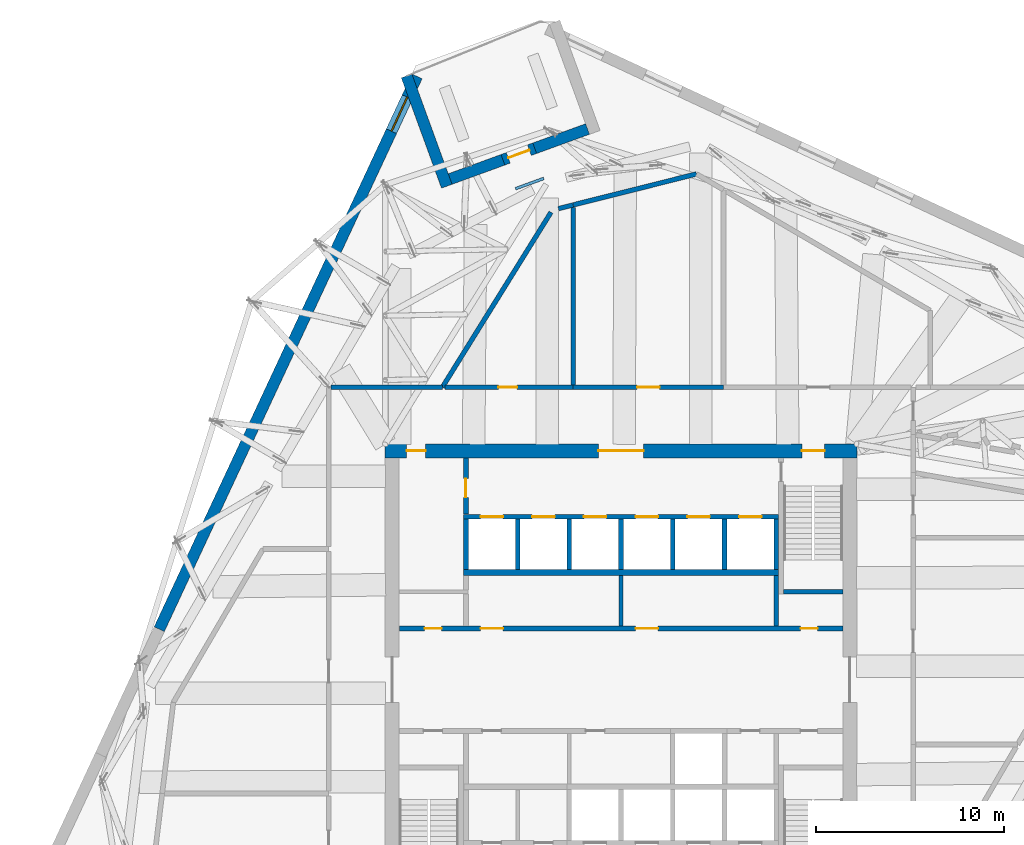
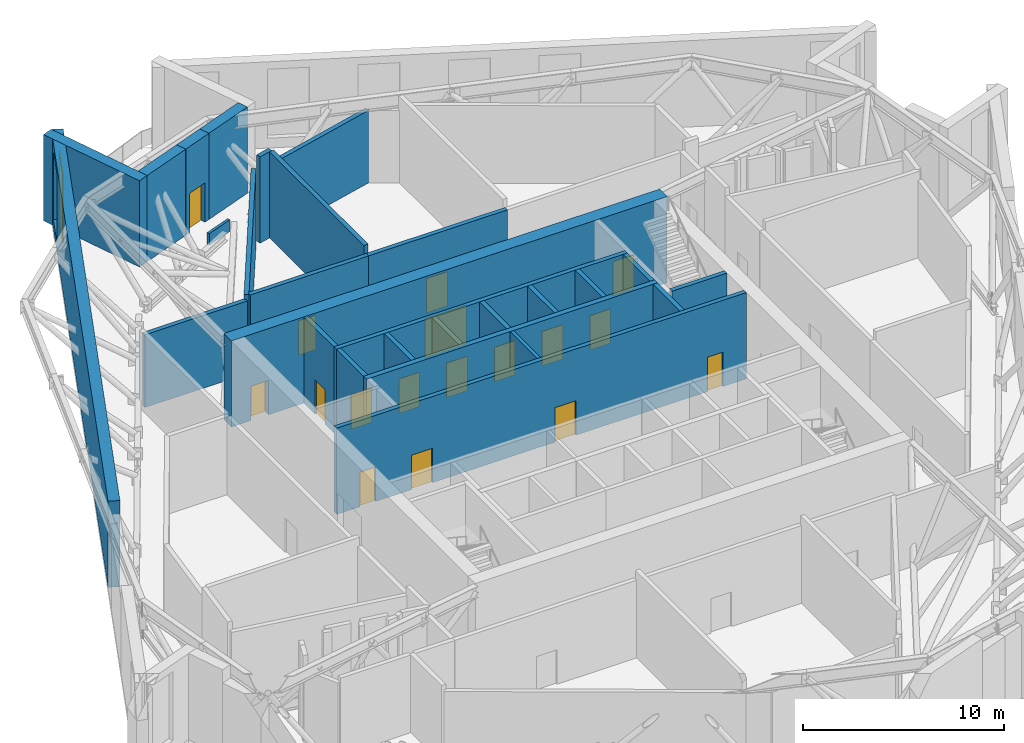
# One storey, part 7 of 15: 28 walls, 17 doors, 1 window, 18 openings.
"""IFC4 building model written with IfcOpenShell, lengths in metres."""

import ifcopenshell
import ifcopenshell.guid

model = None  # the IFC model being written
_history = None  # IfcOwnerHistory: only IFC2X3 demands one
_inside = {}  # id of a spatial element -> (the spatial element, [elements in it])
_under = {}  # id of a project, library or spatial element -> (it, [spatial elements below it])
_declared = {}  # id of a project -> (the project, [libraries it declares])
_typed = {}  # id of a type object -> (the type object, [elements of that type])
_made_of = {}  # id of a material, layer set ... -> (it, [elements and type objects made of it])


def new_model(schema):
    """Start an empty IFC model of exactly this schema.

    Asked for "IFC4X3", IfcOpenShell would pick the latest addendum, in which some entities
    have other attributes; the version numbers below select the first issue.
    IFC2X3 requires an IfcOwnerHistory on every rooted entity: one is made here for all.
    """
    global model, _history
    if schema == "IFC4X3":
        model = ifcopenshell.file(schema_version=(4, 3, 0, 0))
    else:
        model = ifcopenshell.file(schema=schema)
    _inside.clear()
    _under.clear()
    _declared.clear()
    _typed.clear()
    _made_of.clear()
    _history = None
    if model.schema == "IFC2X3":
        org = make("IfcOrganization", Name="unknown")
        user = make(
            "IfcPersonAndOrganization",
            ThePerson=make("IfcPerson", FamilyName="unknown"),
            TheOrganization=org,
        )
        app = make(
            "IfcApplication",
            ApplicationDeveloper=org,
            Version="unknown",
            ApplicationFullName="unknown",
            ApplicationIdentifier="unknown",
        )
        _history = make(
            "IfcOwnerHistory",
            OwningUser=user,
            OwningApplication=app,
            ChangeAction="ADDED",
            CreationDate=0,
        )
    return model


def make(cls, **values):
    """One entity of the class cls with the attributes given. An attribute that is None is left unset."""
    return model.create_entity(
        cls, **{name: value for name, value in values.items() if value is not None}
    )


def rooted(cls, **values):
    """An entity with a GlobalId (a new one), such as an element, a storey or a relation."""
    return make(cls, GlobalId=ifcopenshell.guid.new(), OwnerHistory=_history, **values)


def si_unit(unit_type, name, prefix=None):
    """IfcSIUnit, for example si_unit("LENGTHUNIT", "METRE", prefix="MILLI")."""
    return make("IfcSIUnit", UnitType=unit_type, Prefix=prefix, Name=name)


def assignment(units):
    """IfcUnitAssignment: the units of a project."""
    return None if units is None else make("IfcUnitAssignment", Units=units)


def point(xyz):
    """IfcCartesianPoint."""
    return None if xyz is None else make("IfcCartesianPoint", Coordinates=xyz)


def direction(xyz):
    """IfcDirection."""
    return None if xyz is None else make("IfcDirection", DirectionRatios=xyz)


def frame(location, z_axis=None, x_axis=None):
    """IfcAxis2Placement3D, a coordinate frame: its origin and axes. An axis left out is left unset."""
    return make(
        "IfcAxis2Placement3D",
        Location=point(location),
        Axis=direction(z_axis),
        RefDirection=direction(x_axis),
    )


def frame_2d(location, x_axis=None):
    """IfcAxis2Placement2D, a coordinate frame in the plane: its origin and x axis."""
    return make(
        "IfcAxis2Placement2D", Location=point(location), RefDirection=direction(x_axis)
    )


def origin():
    """The frame at (0, 0, 0) with its axes left unset."""
    return frame((0.0, 0.0, 0.0))


def place(relative_to, where):
    """IfcLocalPlacement: puts the frame where relative to a parent placement (None: the world)."""
    return make(
        "IfcLocalPlacement", PlacementRelTo=relative_to, RelativePlacement=where
    )


def context(
    kind, dimensions, precision=None, world=None, true_north=None, identifier=None
):
    """IfcGeometricRepresentationContext, for example the 3D "Model" context."""
    return make(
        "IfcGeometricRepresentationContext",
        ContextIdentifier=identifier,
        ContextType=kind,
        CoordinateSpaceDimension=dimensions,
        Precision=precision,
        WorldCoordinateSystem=world,
        TrueNorth=true_north,
    )


def subcontext(parent, identifier, kind, view, scale=None):
    """IfcGeometricRepresentationSubContext, for example "Body" below "Model"."""
    return make(
        "IfcGeometricRepresentationSubContext",
        ContextIdentifier=identifier,
        ContextType=kind,
        ParentContext=parent,
        TargetScale=scale,
        TargetView=view,
    )


def project(units=None, contexts=None):
    """IfcProject with its units and contexts."""
    return rooted(
        "IfcProject",
        Name="project",
        RepresentationContexts=contexts,
        UnitsInContext=assignment(units),
    )


def spatial(cls, under=None, at=None, **own):
    """A site, building, storey or space (cls), placed at a placement, below another one or the project."""
    s = rooted(cls, ObjectPlacement=at, **own)
    if under is not None:
        _under.setdefault(under.id(), (under, []))[1].append(s)
    return s


def profile(cls, at=None, kind="AREA", **sizes):
    """A parametric profile (cls). Its sizes go by their IFC names, for example OverallWidth=200.0."""
    return make(cls, ProfileType=kind, Position=at, **sizes)


def rectangle(**sizes):
    """IfcRectangleProfileDef."""
    return profile("IfcRectangleProfileDef", **sizes)


def extrude(swept, where, along, depth):
    """IfcExtrudedAreaSolid: the profile swept, set in the frame where, extruded along a direction by depth."""
    return make(
        "IfcExtrudedAreaSolid",
        SweptArea=swept,
        Position=where,
        ExtrudedDirection=direction(along),
        Depth=depth,
    )


def shape(context_of_items, identifier, shape_type, items):
    """IfcShapeRepresentation: the items that make up one representation, for example the "Body"."""
    return make(
        "IfcShapeRepresentation",
        ContextOfItems=context_of_items,
        RepresentationIdentifier=identifier,
        RepresentationType=shape_type,
        Items=items,
    )


def material(Name=None, Category=None):
    """IfcMaterial."""
    return make("IfcMaterial", Name=Name, Category=Category)


def layer(
    of_material, thickness, ventilated=None, Name=None, Category=None, Priority=None
):
    """IfcMaterialLayer: one layer of a wall or slab, of a material (None: an air gap)."""
    return make(
        "IfcMaterialLayer",
        Material=of_material,
        LayerThickness=thickness,
        IsVentilated=ventilated,
        Name=Name,
        Category=Category,
        Priority=Priority,
    )


def layer_set(layers, Name=None):
    """IfcMaterialLayerSet."""
    return make("IfcMaterialLayerSet", MaterialLayers=layers, LayerSetName=Name)


def made_of(thing, what):
    """Note that an element or type object is made of a material, layer set ...; save() writes the relation."""
    if what is not None:
        _made_of.setdefault(what.id(), (what, []))[1].append(thing)
    return thing


def type_object(cls, material=None, **own):
    """A type object (cls), such as IfcWallType, which elements share."""
    return made_of(rooted(cls, **own), material)


def element(
    cls,
    number,
    at=None,
    inside=None,
    cuts=None,
    type_object=None,
    material=None,
    context=None,
    identifier="Body",
    shape_type=None,
    held_by="IfcProductDefinitionShape",
    body=None,
    shapes=None,
    **own,
):
    """One element of the class cls, such as IfcWall. Its Tag is "e" and its number.

    at: its placement. inside: the storey or other place that contains it. cuts: it is an
    opening in that element (IfcRelVoidsElement). A single representation is given by context,
    identifier, shape_type and body (its items); several are given by shapes. held_by: the class
    of the entity that holds the representations. save() writes the other relations.
    """
    e = rooted(cls, Tag="e%d" % number, ObjectPlacement=at, **own)
    if body is not None:
        shapes = [shape(context, identifier, shape_type, body)]
    if shapes is not None:
        e.Representation = make(held_by, Representations=shapes)
    if inside is not None:
        _inside.setdefault(inside.id(), (inside, []))[1].append(e)
    if cuts is not None:
        rooted(
            "IfcRelVoidsElement", RelatingBuildingElement=cuts, RelatedOpeningElement=e
        )
    if type_object is not None:
        _typed.setdefault(type_object.id(), (type_object, []))[1].append(e)
    return made_of(e, material)


def fill(opening, filler):
    """IfcRelFillsElement: the door or window that sits in an opening."""
    return rooted(
        "IfcRelFillsElement",
        RelatingOpeningElement=opening,
        RelatedBuildingElement=filler,
    )


def aggregate(whole, parts):
    """IfcRelAggregates: a whole, such as a stair, and the parts it consists of."""
    return rooted("IfcRelAggregates", RelatingObject=whole, RelatedObjects=parts)


def save(model, path):
    """Write the relations noted so far, then the file.

    IfcRelAggregates (storeys below a building ...), IfcRelContainedInSpatialStructure (elements
    in a storey), IfcRelDefinesByType, IfcRelAssociatesMaterial and IfcRelDeclares: one each for
    every whole, place, type object, material and project.
    """
    for whole, parts in _under.values():
        aggregate(whole, parts)
    for where, things in _inside.values():
        rooted(
            "IfcRelContainedInSpatialStructure",
            RelatedElements=things,
            RelatingStructure=where,
        )
    for kind, things in _typed.values():
        rooted("IfcRelDefinesByType", RelatedObjects=things, RelatingType=kind)
    for what, things in _made_of.values():
        rooted("IfcRelAssociatesMaterial", RelatedObjects=things, RelatingMaterial=what)
    for by, libraries in _declared.values():
        rooted("IfcRelDeclares", RelatingContext=by, RelatedDefinitions=libraries)
    model.write(path)


model = new_model("IFC4")

# Units and contexts
model_context = context("Model", 3, precision=1e-05, world=origin(), true_north=direction((0.0, 1.0)))
body_context = subcontext(model_context, "Body", "Model", "MODEL_VIEW")
ifc_project = project(units=[si_unit("LENGTHUNIT", "METRE"), si_unit("AREAUNIT", "SQUARE_METRE"), si_unit("VOLUMEUNIT", "CUBIC_METRE"), si_unit("PLANEANGLEUNIT", "RADIAN"), si_unit("MASSUNIT", "GRAM", prefix="KILO")], contexts=[model_context])

# Site, building, storey
site_placement = place(None, origin())
site = spatial("IfcSite", under=ifc_project, at=site_placement, CompositionType="ELEMENT")
building_placement = place(site_placement, origin())
building = spatial("IfcBuilding", under=site, at=building_placement, Name="Dilmun Exchange Tower", CompositionType="ELEMENT")
storey_placement = place(building_placement, frame((0.0, 0.0, 290.89990234375)))
storey = spatial("IfcBuildingStorey", under=building, at=storey_placement, Name="L69", CompositionType="ELEMENT", Elevation=290.89990234375)

# Wall
ifc_material_1 = material(Name="Concrete C40/50", Category="concrete")
ifc_layer_1 = layer(ifc_material_1, 0.199951171875)
ifc_layer_set_1 = layer_set([ifc_layer_1], Name="Concrete C40/50")
wall_type_1 = type_object("IfcWallType", Name="Core partition wall 200", PredefinedType="PARTITIONING", material=ifc_layer_set_1)
wall_1_placement = place(storey_placement, frame((0.0, 2.85498046875, 0.0), z_axis=(0.0, 0.0, 1.0), x_axis=(0.0, 1.0, 0.0)))
element("IfcWall", 1, at=wall_1_placement, inside=storey, type_object=wall_type_1, Name="L69 core partition wall 13", PredefinedType="PARTITIONING", context=body_context, shape_type="SweptSolid", body=[
    extrude(rectangle(XDim=2.68994140625, YDim=0.199951171875, at=frame_2d((1.344970703125, 0.0))), origin(), (0.0, 0.0, 1.0), 5.25),
])

# Wall, openings, doors
ifc_layer_2 = layer(ifc_material_1, 0.25)
ifc_layer_set_2 = layer_set([ifc_layer_2], Name="Concrete C40/50")
wall_type_2 = type_object("IfcWallType", Name="Core partition wall 250", PredefinedType="PARTITIONING", material=ifc_layer_set_2)
wall_2_placement = place(storey_placement, frame((-11.794921875, 2.72509765625, 0.0), z_axis=(0.0, 0.0, 1.0), x_axis=(1.0, 0.0, 0.0)))
wall_2 = element("IfcWall", 2, at=wall_2_placement, inside=storey, type_object=wall_type_2, Name="L69 core partition wall 11", PredefinedType="PARTITIONING", context=body_context, shape_type="SweptSolid", body=[
    extrude(rectangle(XDim=23.58984375, YDim=0.25, at=frame_2d((11.794921875, 0.0))), origin(), (0.0, 0.0, 1.0), 5.25),
])
opening_1_placement = place(wall_2_placement, frame((21.344970703125, 0.0, 0.0)))
opening_1 = element("IfcOpeningElement", 3, at=opening_1_placement, cuts=wall_2, Name="Opening CD6", PredefinedType="OPENING", context=body_context, shape_type="SweptSolid", body=[
    extrude(rectangle(XDim=0.89990234375, YDim=2.10009765625, at=frame_2d((0.449951171875, 1.050048828125))), frame((0.0, 0.135009765625, 0.0), z_axis=(0.0, -1.0, 0.0), x_axis=(1.0, 0.0, 0.0)), (0.0, 0.0, 1.0), 0.27001953125),
])
opening_2_placement = place(wall_2_placement, frame((1.344970703125, 0.0, 0.0)))
opening_2 = element("IfcOpeningElement", 4, at=opening_2_placement, cuts=wall_2, Name="Opening CD6", PredefinedType="OPENING", context=body_context, shape_type="SweptSolid", body=[
    extrude(rectangle(XDim=0.89990234375, YDim=2.10009765625, at=frame_2d((0.449951171875, 1.050048828125))), frame((0.0, 0.135009765625, 0.0), z_axis=(0.0, -1.0, 0.0), x_axis=(1.0, 0.0, 0.0)), (0.0, 0.0, 1.0), 0.27001953125),
])
opening_3_placement = place(wall_2_placement, frame((4.320068359375, 0.0, 0.0)))
opening_3 = element("IfcOpeningElement", 5, at=opening_3_placement, cuts=wall_2, Name="Opening CD3", PredefinedType="OPENING", context=body_context, shape_type="SweptSolid", body=[
    extrude(rectangle(XDim=1.199951171875, YDim=2.10009765625, at=frame_2d((0.60009765625, 1.050048828125))), frame((0.0, 0.135009765625, 0.0), z_axis=(0.0, -1.0, 0.0), x_axis=(1.0, 0.0, 0.0)), (0.0, 0.0, 1.0), 0.27001953125),
])
opening_4_placement = place(wall_2_placement, frame((12.570068359375, 0.0, 0.0)))
opening_4 = element("IfcOpeningElement", 6, at=opening_4_placement, cuts=wall_2, Name="Opening CD3", PredefinedType="OPENING", context=body_context, shape_type="SweptSolid", body=[
    extrude(rectangle(XDim=1.199951171875, YDim=2.10009765625, at=frame_2d((0.60009765625, 1.050048828125))), frame((0.0, 0.135009765625, 0.0), z_axis=(0.0, -1.0, 0.0), x_axis=(1.0, 0.0, 0.0)), (0.0, 0.0, 1.0), 0.27001953125),
])
ifc_material_2 = material(Name="Fire-rated steel door set", Category="steel")
door_type_1 = type_object("IfcDoorType", Name="Core room door 900x2100", OperationType="SINGLE_SWING_LEFT", PredefinedType="DOOR", material=ifc_material_2)
door_1_placement = place(opening_1_placement, origin())
door_1 = element("IfcDoor", 7, at=door_1_placement, inside=storey, type_object=door_type_1, Name="L69 door Electrical riser", OperationType="SINGLE_SWING_RIGHT", OverallHeight=2.10009765625, OverallWidth=0.89990234375, PredefinedType="DOOR", context=body_context, shape_type="SweptSolid", body=[
    extrude(rectangle(XDim=0.89990234375, YDim=2.10009765625, at=frame_2d((0.449951171875, 1.050048828125))), frame((0.0, 0.02490234375, 0.0), z_axis=(0.0, -1.0, 0.0), x_axis=(1.0, 0.0, 0.0)), (0.0, 0.0, 1.0), 0.050048828125),
])
fill(opening_1, door_1)
door_2_placement = place(opening_2_placement, origin())
door_2 = element("IfcDoor", 8, at=door_2_placement, inside=storey, type_object=door_type_1, Name="L69 door Plumbing riser", OperationType="SINGLE_SWING_RIGHT", OverallHeight=2.10009765625, OverallWidth=0.89990234375, PredefinedType="DOOR", context=body_context, shape_type="SweptSolid", body=[
    extrude(rectangle(XDim=0.89990234375, YDim=2.10009765625, at=frame_2d((0.449951171875, 1.050048828125))), frame((0.0, 0.02490234375, 0.0), z_axis=(0.0, -1.0, 0.0), x_axis=(1.0, 0.0, 0.0)), (0.0, 0.0, 1.0), 0.050048828125),
])
fill(opening_2, door_2)
door_type_2 = type_object("IfcDoorType", Name="Stair exit door 1200x2100", OperationType="SINGLE_SWING_LEFT", PredefinedType="DOOR", material=ifc_material_2)
door_3_placement = place(opening_3_placement, origin())
door_3 = element("IfcDoor", 9, at=door_3_placement, inside=storey, type_object=door_type_2, Name="L69 door Tenant meeting suite", OperationType="SINGLE_SWING_LEFT", OverallHeight=2.10009765625, OverallWidth=1.199951171875, PredefinedType="DOOR", context=body_context, shape_type="SweptSolid", body=[
    extrude(rectangle(XDim=1.199951171875, YDim=2.10009765625, at=frame_2d((0.60009765625, 1.050048828125))), frame((0.0, 0.02490234375, 0.0), z_axis=(0.0, -1.0, 0.0), x_axis=(1.0, 0.0, 0.0)), (0.0, 0.0, 1.0), 0.050048828125),
])
fill(opening_3, door_3)
door_4_placement = place(opening_4_placement, origin())
door_4 = element("IfcDoor", 10, at=door_4_placement, inside=storey, type_object=door_type_2, Name="L69 door Tenant amenity store", OperationType="SINGLE_SWING_LEFT", OverallHeight=2.10009765625, OverallWidth=1.199951171875, PredefinedType="DOOR", context=body_context, shape_type="SweptSolid", body=[
    extrude(rectangle(XDim=1.199951171875, YDim=2.10009765625, at=frame_2d((0.60009765625, 1.050048828125))), frame((0.0, 0.02490234375, 0.0), z_axis=(0.0, -1.0, 0.0), x_axis=(1.0, 0.0, 0.0)), (0.0, 0.0, 1.0), 0.050048828125),
])
fill(opening_4, door_4)

# Wall
wall_3_placement = place(storey_placement, frame((8.25, 2.85498046875, 0.0), z_axis=(0.0, 0.0, 1.0), x_axis=(0.0, 1.0, 0.0)))
element("IfcWall", 11, at=wall_3_placement, inside=storey, type_object=wall_type_2, Name="L69 core partition wall 14", PredefinedType="PARTITIONING", context=body_context, shape_type="SweptSolid", body=[
    extrude(rectangle(XDim=2.68994140625, YDim=0.25, at=frame_2d((1.344970703125, 0.0))), origin(), (0.0, 0.0, 1.0), 5.25),
])

# Wall, opening, door
wall_4_placement = place(storey_placement, frame((-8.25, 8.804931640625, 0.0), z_axis=(0.0, 0.0, 1.0), x_axis=(0.0, 1.0, 0.0)))
wall_4 = element("IfcWall", 12, at=wall_4_placement, inside=storey, type_object=wall_type_2, Name="L69 core partition wall 17", PredefinedType="PARTITIONING", context=body_context, shape_type="SweptSolid", body=[
    extrude(rectangle(XDim=2.989990234375, YDim=0.25, at=frame_2d((1.4951171875, 0.0))), origin(), (0.0, 0.0, 1.0), 5.25),
])
opening_5_placement = place(wall_4_placement, frame((0.89501953125, 0.0, 0.0)))
opening_5 = element("IfcOpeningElement", 13, at=opening_5_placement, cuts=wall_4, Name="Opening CD4", PredefinedType="OPENING", context=body_context, shape_type="SweptSolid", body=[
    extrude(rectangle(XDim=1.0, YDim=2.10009765625, at=frame_2d((0.5, 1.050048828125))), frame((0.0, 0.135009765625, 0.0), z_axis=(0.0, -1.0, 0.0), x_axis=(1.0, 0.0, 0.0)), (0.0, 0.0, 1.0), 0.27001953125),
])
door_type_3 = type_object("IfcDoorType", Name="Core room door 1000x2100", OperationType="SINGLE_SWING_LEFT", PredefinedType="DOOR", material=ifc_material_2)
door_5_placement = place(opening_5_placement, origin())
door_5 = element("IfcDoor", 14, at=door_5_placement, inside=storey, type_object=door_type_3, Name="L69 door Building services room", OperationType="SINGLE_SWING_RIGHT", OverallHeight=2.10009765625, OverallWidth=1.0, PredefinedType="DOOR", context=body_context, shape_type="SweptSolid", body=[
    extrude(rectangle(XDim=1.0, YDim=2.10009765625, at=frame_2d((0.5, 1.050048828125))), frame((0.0, 0.02490234375, 0.0), z_axis=(0.0, -1.0, 0.0), x_axis=(1.0, 0.0, 0.0)), (0.0, 0.0, 1.0), 0.050048828125),
])
fill(opening_5, door_5)

# Wall, openings, doors
ifc_material_3 = material(Name="Concrete C50/60", Category="concrete")
ifc_layer_3 = layer(ifc_material_3, 0.75)
ifc_layer_set_3 = layer_set([ifc_layer_3], Name="Concrete C50/60")
wall_type_3 = type_object("IfcWallType", Name="Core shear wall 750 Concrete C50/60", PredefinedType="SHEAR", material=ifc_layer_set_3)
wall_5_placement = place(storey_placement, frame((-12.550048828125, 12.175048828125, 0.0), z_axis=(0.0, 0.0, 1.0), x_axis=(1.0, 0.0, 0.0)))
wall_5 = element("IfcWall", 15, at=wall_5_placement, inside=storey, type_object=wall_type_3, Name="L69 core shear wall N", PredefinedType="SHEAR", context=body_context, shape_type="SweptSolid", body=[
    extrude(rectangle(XDim=25.10009765625, YDim=0.75, at=frame_2d((12.550048828125, 0.0))), origin(), (0.0, 0.0, 1.0), 5.25),
])
opening_6_placement = place(wall_5_placement, frame((11.35009765625, 0.0, 0.0)))
opening_6 = element("IfcOpeningElement", 16, at=opening_6_placement, cuts=wall_5, Name="Opening CD1", PredefinedType="OPENING", context=body_context, shape_type="SweptSolid", body=[
    extrude(rectangle(XDim=2.39990234375, YDim=2.39990234375, at=frame_2d((1.199951171875, 1.199951171875))), frame((0.0, 0.385009765625, 0.0), z_axis=(0.0, -1.0, 0.0), x_axis=(1.0, 0.0, 0.0)), (0.0, 0.0, 1.0), 0.77001953125),
])
opening_7_placement = place(wall_5_placement, frame((22.175048828125, 0.0, 0.0)))
opening_7 = element("IfcOpeningElement", 17, at=opening_7_placement, cuts=wall_5, Name="Opening CD3", PredefinedType="OPENING", context=body_context, shape_type="SweptSolid", body=[
    extrude(rectangle(XDim=1.199951171875, YDim=2.10009765625, at=frame_2d((0.60009765625, 1.050048828125))), frame((0.0, 0.385009765625, 0.0), z_axis=(0.0, -1.0, 0.0), x_axis=(1.0, 0.0, 0.0)), (0.0, 0.0, 1.0), 0.77001953125),
])
opening_8_placement = place(wall_5_placement, frame((1.14990234375, 0.0, 0.0)))
opening_8 = element("IfcOpeningElement", 18, at=opening_8_placement, cuts=wall_5, Name="Opening CD4", PredefinedType="OPENING", context=body_context, shape_type="SweptSolid", body=[
    extrude(rectangle(XDim=1.0, YDim=2.10009765625, at=frame_2d((0.5, 1.050048828125))), frame((0.0, 0.385009765625, 0.0), z_axis=(0.0, -1.0, 0.0), x_axis=(1.0, 0.0, 0.0)), (0.0, 0.0, 1.0), 0.77001953125),
])
door_type_4 = type_object("IfcDoorType", Name="Core lobby door 2400x2400", OperationType="DOUBLE_DOOR_DOUBLE_SWING", PredefinedType="DOOR", material=ifc_material_2)
door_6_placement = place(opening_6_placement, origin())
door_6 = element("IfcDoor", 19, at=door_6_placement, inside=storey, type_object=door_type_4, Name="L69 door North lift lobby", OperationType="SINGLE_SWING_LEFT", OverallHeight=2.39990234375, OverallWidth=2.39990234375, PredefinedType="DOOR", context=body_context, shape_type="SweptSolid", body=[
    extrude(rectangle(XDim=2.39990234375, YDim=2.39990234375, at=frame_2d((1.199951171875, 1.199951171875))), frame((0.0, 0.02490234375, 0.0), z_axis=(0.0, -1.0, 0.0), x_axis=(1.0, 0.0, 0.0)), (0.0, 0.0, 1.0), 0.050048828125),
])
fill(opening_6, door_6)
door_7_placement = place(opening_8_placement, origin())
door_7 = element("IfcDoor", 20, at=door_7_placement, inside=storey, type_object=door_type_3, Name="L69 door North-west core rooms", OperationType="SINGLE_SWING_LEFT", OverallHeight=2.10009765625, OverallWidth=1.0, PredefinedType="DOOR", context=body_context, shape_type="SweptSolid", body=[
    extrude(rectangle(XDim=1.0, YDim=2.10009765625, at=frame_2d((0.5, 1.050048828125))), frame((0.0, 0.02490234375, 0.0), z_axis=(0.0, -1.0, 0.0), x_axis=(1.0, 0.0, 0.0)), (0.0, 0.0, 1.0), 0.050048828125),
])
fill(opening_8, door_7)
door_8_placement = place(opening_7_placement, origin())
door_8 = element("IfcDoor", 21, at=door_8_placement, inside=storey, type_object=door_type_2, Name="L69 door Stair ST1", OperationType="SINGLE_SWING_LEFT", OverallHeight=2.10009765625, OverallWidth=1.199951171875, PredefinedType="DOOR", context=body_context, shape_type="SweptSolid", body=[
    extrude(rectangle(XDim=1.199951171875, YDim=2.10009765625, at=frame_2d((0.60009765625, 1.050048828125))), frame((0.0, 0.02490234375, 0.0), z_axis=(0.0, -1.0, 0.0), x_axis=(1.0, 0.0, 0.0)), (0.0, 0.0, 1.0), 0.050048828125),
])
fill(opening_7, door_8)

# Wall
ifc_layer_4 = layer(ifc_material_1, 0.300048828125)
ifc_layer_set_4 = layer_set([ifc_layer_4], Name="Concrete C40/50")
wall_type_4 = type_object("IfcWallType", Name="Lift shaft shared wall 300", PredefinedType="SOLIDWALL", material=ifc_layer_set_4)
wall_6_placement = place(storey_placement, frame((-8.375, 5.699951171875, 0.0), z_axis=(0.0, 0.0, 1.0), x_axis=(1.0, 0.0, 0.0)))
element("IfcWall", 22, at=wall_6_placement, inside=storey, type_object=wall_type_4, Name="L69 lift shaft rear wall N", PredefinedType="SOLIDWALL", context=body_context, shape_type="SweptSolid", body=[
    extrude(rectangle(XDim=16.75, YDim=0.300048828125, at=frame_2d((8.375, 0.0))), origin(), (0.0, 0.0, 1.0), 5.25),
])

# Wall, openings, doors
ifc_layer_5 = layer(ifc_material_1, 0.25)
ifc_layer_set_5 = layer_set([ifc_layer_5], Name="Concrete C40/50")
wall_type_5 = type_object("IfcWallType", Name="Lift shaft wall 250", PredefinedType="SOLIDWALL", material=ifc_layer_set_5)
wall_7_placement = place(storey_placement, frame((-8.375, 8.675048828125, 0.0), z_axis=(0.0, 0.0, 1.0), x_axis=(1.0, 0.0, 0.0)))
wall_7 = element("IfcWall", 23, at=wall_7_placement, inside=storey, type_object=wall_type_5, Name="L69 lift shaft front wall N2", PredefinedType="SOLIDWALL", context=body_context, shape_type="SweptSolid", body=[
    extrude(rectangle(XDim=16.75, YDim=0.25, at=frame_2d((8.375, 0.0))), origin(), (0.0, 0.0, 1.0), 5.25),
])
opening_9_placement = place(wall_7_placement, frame((0.89990234375, 0.0, 0.0)))
opening_9 = element("IfcOpeningElement", 24, at=opening_9_placement, cuts=wall_7, Name="Opening LD", PredefinedType="OPENING", context=body_context, shape_type="SweptSolid", body=[
    extrude(rectangle(XDim=1.199951171875, YDim=2.10009765625, at=frame_2d((0.60009765625, 1.050048828125))), frame((0.0, 0.135009765625, 0.0), z_axis=(0.0, -1.0, 0.0), x_axis=(1.0, 0.0, 0.0)), (0.0, 0.0, 1.0), 0.27001953125),
])
opening_10_placement = place(wall_7_placement, frame((3.64990234375, 0.0, 0.0)))
opening_10 = element("IfcOpeningElement", 25, at=opening_10_placement, cuts=wall_7, Name="Opening LD", PredefinedType="OPENING", context=body_context, shape_type="SweptSolid", body=[
    extrude(rectangle(XDim=1.199951171875, YDim=2.10009765625, at=frame_2d((0.60009765625, 1.050048828125))), frame((0.0, 0.135009765625, 0.0), z_axis=(0.0, -1.0, 0.0), x_axis=(1.0, 0.0, 0.0)), (0.0, 0.0, 1.0), 0.27001953125),
])
opening_11_placement = place(wall_7_placement, frame((6.39990234375, 0.0, 0.0)))
opening_11 = element("IfcOpeningElement", 26, at=opening_11_placement, cuts=wall_7, Name="Opening LD", PredefinedType="OPENING", context=body_context, shape_type="SweptSolid", body=[
    extrude(rectangle(XDim=1.199951171875, YDim=2.10009765625, at=frame_2d((0.60009765625, 1.050048828125))), frame((0.0, 0.135009765625, 0.0), z_axis=(0.0, -1.0, 0.0), x_axis=(1.0, 0.0, 0.0)), (0.0, 0.0, 1.0), 0.27001953125),
])
opening_12_placement = place(wall_7_placement, frame((9.14990234375, 0.0, 0.0)))
opening_12 = element("IfcOpeningElement", 27, at=opening_12_placement, cuts=wall_7, Name="Opening LD", PredefinedType="OPENING", context=body_context, shape_type="SweptSolid", body=[
    extrude(rectangle(XDim=1.199951171875, YDim=2.10009765625, at=frame_2d((0.60009765625, 1.050048828125))), frame((0.0, 0.135009765625, 0.0), z_axis=(0.0, -1.0, 0.0), x_axis=(1.0, 0.0, 0.0)), (0.0, 0.0, 1.0), 0.27001953125),
])
opening_13_placement = place(wall_7_placement, frame((11.89990234375, 0.0, 0.0)))
opening_13 = element("IfcOpeningElement", 28, at=opening_13_placement, cuts=wall_7, Name="Opening LD", PredefinedType="OPENING", context=body_context, shape_type="SweptSolid", body=[
    extrude(rectangle(XDim=1.199951171875, YDim=2.10009765625, at=frame_2d((0.60009765625, 1.050048828125))), frame((0.0, 0.135009765625, 0.0), z_axis=(0.0, -1.0, 0.0), x_axis=(1.0, 0.0, 0.0)), (0.0, 0.0, 1.0), 0.27001953125),
])
opening_14_placement = place(wall_7_placement, frame((14.64990234375, 0.0, 0.0)))
opening_14 = element("IfcOpeningElement", 29, at=opening_14_placement, cuts=wall_7, Name="Opening LD", PredefinedType="OPENING", context=body_context, shape_type="SweptSolid", body=[
    extrude(rectangle(XDim=1.199951171875, YDim=2.10009765625, at=frame_2d((0.60009765625, 1.050048828125))), frame((0.0, 0.135009765625, 0.0), z_axis=(0.0, -1.0, 0.0), x_axis=(1.0, 0.0, 0.0)), (0.0, 0.0, 1.0), 0.27001953125),
])
door_type_5 = type_object("IfcDoorType", Name="Lift landing door 1200x2100", OperationType="DOUBLE_DOOR_SLIDING", PredefinedType="DOOR", material=ifc_material_2)
door_9_placement = place(opening_9_placement, origin())
door_9 = element("IfcDoor", 30, at=door_9_placement, inside=storey, type_object=door_type_5, Name="L69 landing door HR1", OperationType="DOUBLE_DOOR_SLIDING", OverallHeight=2.10009765625, OverallWidth=1.199951171875, PredefinedType="DOOR", context=body_context, shape_type="SweptSolid", body=[
    extrude(rectangle(XDim=1.199951171875, YDim=2.10009765625, at=frame_2d((0.60009765625, 1.050048828125))), frame((0.0, 0.02490234375, 0.0), z_axis=(0.0, -1.0, 0.0), x_axis=(1.0, 0.0, 0.0)), (0.0, 0.0, 1.0), 0.050048828125),
])
fill(opening_9, door_9)
door_10_placement = place(opening_10_placement, origin())
door_10 = element("IfcDoor", 31, at=door_10_placement, inside=storey, type_object=door_type_5, Name="L69 landing door HR2", OperationType="DOUBLE_DOOR_SLIDING", OverallHeight=2.10009765625, OverallWidth=1.199951171875, PredefinedType="DOOR", context=body_context, shape_type="SweptSolid", body=[
    extrude(rectangle(XDim=1.199951171875, YDim=2.10009765625, at=frame_2d((0.60009765625, 1.050048828125))), frame((0.0, 0.02490234375, 0.0), z_axis=(0.0, -1.0, 0.0), x_axis=(1.0, 0.0, 0.0)), (0.0, 0.0, 1.0), 0.050048828125),
])
fill(opening_10, door_10)
door_11_placement = place(opening_11_placement, origin())
door_11 = element("IfcDoor", 32, at=door_11_placement, inside=storey, type_object=door_type_5, Name="L69 landing door HR3", OperationType="DOUBLE_DOOR_SLIDING", OverallHeight=2.10009765625, OverallWidth=1.199951171875, PredefinedType="DOOR", context=body_context, shape_type="SweptSolid", body=[
    extrude(rectangle(XDim=1.199951171875, YDim=2.10009765625, at=frame_2d((0.60009765625, 1.050048828125))), frame((0.0, 0.02490234375, 0.0), z_axis=(0.0, -1.0, 0.0), x_axis=(1.0, 0.0, 0.0)), (0.0, 0.0, 1.0), 0.050048828125),
])
fill(opening_11, door_11)
door_12_placement = place(opening_12_placement, origin())
door_12 = element("IfcDoor", 33, at=door_12_placement, inside=storey, type_object=door_type_5, Name="L69 landing door HR4", OperationType="DOUBLE_DOOR_SLIDING", OverallHeight=2.10009765625, OverallWidth=1.199951171875, PredefinedType="DOOR", context=body_context, shape_type="SweptSolid", body=[
    extrude(rectangle(XDim=1.199951171875, YDim=2.10009765625, at=frame_2d((0.60009765625, 1.050048828125))), frame((0.0, 0.02490234375, 0.0), z_axis=(0.0, -1.0, 0.0), x_axis=(1.0, 0.0, 0.0)), (0.0, 0.0, 1.0), 0.050048828125),
])
fill(opening_12, door_12)
door_13_placement = place(opening_13_placement, origin())
door_13 = element("IfcDoor", 34, at=door_13_placement, inside=storey, type_object=door_type_5, Name="L69 landing door HR5", OperationType="DOUBLE_DOOR_SLIDING", OverallHeight=2.10009765625, OverallWidth=1.199951171875, PredefinedType="DOOR", context=body_context, shape_type="SweptSolid", body=[
    extrude(rectangle(XDim=1.199951171875, YDim=2.10009765625, at=frame_2d((0.60009765625, 1.050048828125))), frame((0.0, 0.02490234375, 0.0), z_axis=(0.0, -1.0, 0.0), x_axis=(1.0, 0.0, 0.0)), (0.0, 0.0, 1.0), 0.050048828125),
])
fill(opening_13, door_13)
door_14_placement = place(opening_14_placement, origin())
door_14 = element("IfcDoor", 35, at=door_14_placement, inside=storey, type_object=door_type_5, Name="L69 landing door HR6", OperationType="DOUBLE_DOOR_SLIDING", OverallHeight=2.10009765625, OverallWidth=1.199951171875, PredefinedType="DOOR", context=body_context, shape_type="SweptSolid", body=[
    extrude(rectangle(XDim=1.199951171875, YDim=2.10009765625, at=frame_2d((0.60009765625, 1.050048828125))), frame((0.0, 0.02490234375, 0.0), z_axis=(0.0, -1.0, 0.0), x_axis=(1.0, 0.0, 0.0)), (0.0, 0.0, 1.0), 0.050048828125),
])
fill(opening_14, door_14)

# Walls
for number, where, z_axis, x_axis, name in (
    (36, (-8.25, 5.85009765625, 0.0), (0.0, 0.0, 1.0), (0.0, 1.0, 0.0), "L69 lift shaft divider N20"),
    (37, (-5.5, 5.85009765625, 0.0), (0.0, 0.0, 1.0), (0.0, 1.0, 0.0), "L69 lift shaft divider N21"),
    (38, (-2.75, 5.85009765625, 0.0), (0.0, 0.0, 1.0), (0.0, 1.0, 0.0), "L69 lift shaft divider N22"),
    (39, (0.0, 5.85009765625, 0.0), (0.0, 0.0, 1.0), (0.0, 1.0, 0.0), "L69 lift shaft divider N23"),
    (40, (2.75, 5.85009765625, 0.0), (0.0, 0.0, 1.0), (0.0, 1.0, 0.0), "L69 lift shaft divider N24"),
    (41, (5.5, 5.85009765625, 0.0), (0.0, 0.0, 1.0), (0.0, 1.0, 0.0), "L69 lift shaft divider N25"),
    (42, (8.25, 5.85009765625, 0.0), (0.0, 0.0, 1.0), (0.0, 1.0, 0.0), "L69 lift shaft divider N26"),
):
    element("IfcWall", number, at=place(storey_placement, frame(where, z_axis=z_axis, x_axis=x_axis)), inside=storey, type_object=wall_type_5, Name=name, PredefinedType="SOLIDWALL", context=body_context, shape_type="SweptSolid", body=[
        extrude(rectangle(XDim=2.699951171875, YDim=0.25, at=frame_2d((1.35009765625, 0.0))), origin(), (0.0, 0.0, 1.0), 5.25),
    ])
ifc_material_4 = material(Name="Concrete C32/40", Category="concrete")
ifc_layer_6 = layer(ifc_material_4, 0.25)
ifc_layer_set_6 = layer_set([ifc_layer_6], Name="Concrete C32/40")
wall_type_6 = type_object("IfcWallType", Name="Plant room wall 250", PredefinedType="PARTITIONING", material=ifc_layer_set_6)
wall_8_placement = place(storey_placement, frame((-15.419921875, 15.550048828125, 0.0), z_axis=(0.0, 0.0, 1.0), x_axis=(1.0, 0.0, 0.0)))
element("IfcWall", 43, at=wall_8_placement, inside=storey, type_object=wall_type_6, Name="L69 plant room wall 59", PredefinedType="PARTITIONING", context=body_context, shape_type="SweptSolid", body=[
    extrude(rectangle(XDim=5.90966796875, YDim=0.25, at=frame_2d((2.954833984375, 0.0))), origin(), (0.0, 0.0, 1.0), 4.43017578125),
])
wall_9_placement = place(storey_placement, frame((-9.505126953125, 15.55810546875, 0.0), z_axis=(0.0, 0.0, 1.0), x_axis=(0.527494346157, 0.84955854111, 0.0)))
element("IfcWall", 44, at=wall_9_placement, inside=storey, type_object=wall_type_6, Name="L69 plant room wall 60", PredefinedType="PARTITIONING", context=body_context, shape_type="SweptSolid", body=[
    extrude(rectangle(XDim=10.953857421875, YDim=0.25, at=frame_2d((5.47705078125, 0.0))), origin(), (0.0, 0.0, 1.0), 4.72998046875),
])

# Wall, opening, door
wall_10_placement = place(storey_placement, frame((-9.357177734375, 15.550048828125, 0.0), z_axis=(0.0, 0.0, 1.0), x_axis=(1.0, 0.0, 0.0)))
wall_10 = element("IfcWall", 45, at=wall_10_placement, inside=storey, type_object=wall_type_6, Name="L69 plant room wall 61", PredefinedType="PARTITIONING", context=body_context, shape_type="SweptSolid", body=[
    extrude(rectangle(XDim=6.80712890625, YDim=0.25, at=frame_2d((3.403564453125, 0.0))), origin(), (0.0, 0.0, 1.0), 4.72998046875),
])
opening_15_placement = place(wall_10_placement, frame((2.8271484375, 0.0, 0.0)))
opening_15 = element("IfcOpeningElement", 46, at=opening_15_placement, cuts=wall_10, Name="Opening PD1", PredefinedType="OPENING", context=body_context, shape_type="SweptSolid", body=[
    extrude(rectangle(XDim=1.0, YDim=2.10009765625, at=frame_2d((0.5, 1.050048828125))), frame((0.0, 0.135009765625, 0.0), z_axis=(0.0, -1.0, 0.0), x_axis=(1.0, 0.0, 0.0)), (0.0, 0.0, 1.0), 0.27001953125),
])
door_type_6 = type_object("IfcDoorType", Name="Plant room door 1000x2100", OperationType="SINGLE_SWING_LEFT", PredefinedType="DOOR", material=ifc_material_2)
door_15_placement = place(opening_15_placement, origin())
door_15 = element("IfcDoor", 47, at=door_15_placement, inside=storey, type_object=door_type_6, Name="L69 door Comms plant room", OperationType="SINGLE_SWING_RIGHT", OverallHeight=2.10009765625, OverallWidth=1.0, PredefinedType="DOOR", context=body_context, shape_type="SweptSolid", body=[
    extrude(rectangle(XDim=1.0, YDim=2.10009765625, at=frame_2d((0.5, 1.050048828125))), frame((0.0, 0.02490234375, 0.0), z_axis=(0.0, -1.0, 0.0), x_axis=(1.0, 0.0, 0.0)), (0.0, 0.0, 1.0), 0.050048828125),
])
fill(opening_15, door_15)

wall_11_placement = place(storey_placement, frame((-2.544921875, 15.550048828125, 0.0), z_axis=(0.0, 0.0, 1.0), x_axis=(1.0, 0.0, 0.0)))
wall_11 = element("IfcWall", 48, at=wall_11_placement, inside=storey, type_object=wall_type_6, Name="L69 plant room wall 62", PredefinedType="PARTITIONING", context=body_context, shape_type="SweptSolid", body=[
    extrude(rectangle(XDim=7.994873046875, YDim=0.25, at=frame_2d((3.99755859375, 0.0))), origin(), (0.0, 0.0, 1.0), 4.72998046875),
])
opening_16_placement = place(wall_11_placement, frame((3.39501953125, 0.0, 0.0)))
opening_16 = element("IfcOpeningElement", 49, at=opening_16_placement, cuts=wall_11, Name="Opening PD2", PredefinedType="OPENING", context=body_context, shape_type="SweptSolid", body=[
    extrude(rectangle(XDim=1.199951171875, YDim=2.10009765625, at=frame_2d((0.60009765625, 1.050048828125))), frame((0.0, 0.135009765625, 0.0), z_axis=(0.0, -1.0, 0.0), x_axis=(1.0, 0.0, 0.0)), (0.0, 0.0, 1.0), 0.27001953125),
])
door_type_7 = type_object("IfcDoorType", Name="Plant room door 1200x2100", OperationType="SINGLE_SWING_LEFT", PredefinedType="DOOR", material=ifc_material_2)
door_16_placement = place(opening_16_placement, origin())
door_16 = element("IfcDoor", 50, at=door_16_placement, inside=storey, type_object=door_type_7, Name="L69 door Mechanical pump room", OperationType="SINGLE_SWING_LEFT", OverallHeight=2.10009765625, OverallWidth=1.199951171875, PredefinedType="DOOR", context=body_context, shape_type="SweptSolid", body=[
    extrude(rectangle(XDim=1.199951171875, YDim=2.10009765625, at=frame_2d((0.60009765625, 1.050048828125))), frame((0.0, 0.02490234375, 0.0), z_axis=(0.0, -1.0, 0.0), x_axis=(1.0, 0.0, 0.0)), (0.0, 0.0, 1.0), 0.050048828125),
])
fill(opening_16, door_16)

# Walls
wall_12_placement = place(storey_placement, frame((-3.329833984375, 25.057373046875, 0.0), z_axis=(0.0, 0.0, 1.0), x_axis=(0.969820148619, 0.243821408685, 0.0)))
element("IfcWall", 51, at=wall_12_placement, inside=storey, type_object=wall_type_6, Name="L69 plant room wall 68", PredefinedType="PARTITIONING", context=body_context, shape_type="SweptSolid", body=[
    extrude(rectangle(XDim=0.803955078125, YDim=0.25, at=frame_2d((0.40185546875, 0.0))), origin(), (0.0, 0.0, 1.0), 5.25),
])
wall_13_placement = place(storey_placement, frame((-2.550048828125, 15.679931640625, 0.0), z_axis=(0.0, 0.0, 1.0), x_axis=(0.0, 1.0, 0.0)))
element("IfcWall", 52, at=wall_13_placement, inside=storey, type_object=wall_type_6, Name="L69 plant room wall 69", PredefinedType="PARTITIONING", context=body_context, shape_type="SweptSolid", body=[
    extrude(rectangle(XDim=9.439453125, YDim=0.25, at=frame_2d((4.7197265625, 0.0))), origin(), (0.0, 0.0, 1.0), 5.25),
])
wall_14_placement = place(storey_placement, frame((-2.545166015625, 25.254638671875, 0.0), z_axis=(0.0, 0.0, 1.0), x_axis=(0.969855051693, 0.243682536725, 0.0)))
element("IfcWall", 53, at=wall_14_placement, inside=storey, type_object=wall_type_6, Name="L69 plant room wall 70", PredefinedType="PARTITIONING", context=body_context, shape_type="SweptSolid", body=[
    extrude(rectangle(XDim=6.7607421875, YDim=0.25, at=frame_2d((3.38037109375, 0.0))), origin(), (0.0, 0.0, 1.0), 4.416015625),
])

# Wall, opening, window
ifc_material_5 = material(Name="Precast concrete C50/60", Category="concrete")
ifc_layer_7 = layer(ifc_material_5, 0.60009765625)
ifc_layer_set_7 = layer_set([ifc_layer_7], Name="Precast concrete C50/60")
wall_type_7 = type_object("IfcWallType", Name="Precast stone-clad wall 600", PredefinedType="STANDARD", material=ifc_layer_set_7)
wall_15_placement = place(storey_placement, frame((-10.853515625, 32.09375, 0.0), z_axis=(0.0, 0.0, 1.0), x_axis=(-0.422619760964, -0.906307087936, 0.0)))
wall_15 = element("IfcWall", 54, at=wall_15_placement, inside=storey, type_object=wall_type_7, Name="Facade wall L69-03a", PredefinedType="STANDARD", context=body_context, shape_type="SweptSolid", body=[
    extrude(rectangle(XDim=32.44677734375, YDim=0.60009765625, at=frame_2d((16.223388671875, 0.0))), origin(), (0.0, 0.0, 1.0), 5.25),
])
opening_17_placement = place(wall_15_placement, frame((1.22021484375, 0.0, 0.60009765625)))
opening_17 = element("IfcOpeningElement", 55, at=opening_17_placement, cuts=wall_15, Name="Opening LV200-420", PredefinedType="OPENING", context=body_context, shape_type="SweptSolid", body=[
    extrude(rectangle(XDim=2.0, YDim=4.199951171875, at=frame_2d((1.0, 2.10009765625))), frame((0.0, 0.31005859375, 0.0), z_axis=(0.0, -1.0, 0.0), x_axis=(1.0, 0.0, 0.0)), (0.0, 0.0, 1.0), 0.6201171875),
])
ifc_material_6 = material(Name="Anodised aluminium louvre blades with sand trap", Category="aluminium")
window_type = type_object("IfcWindowType", Name="Plant louvre 2000 x 4200", PartitioningType="SINGLE_PANEL", PredefinedType="USERDEFINED", material=ifc_material_6)
window_placement = place(opening_17_placement, origin())
window = element("IfcWindow", 56, at=window_placement, inside=storey, type_object=window_type, Name="Plant louvre 4.1", ObjectType="LOUVRE", OverallHeight=4.199951171875, OverallWidth=2.0, PartitioningType="SINGLE_PANEL", PredefinedType="USERDEFINED", context=body_context, shape_type="SweptSolid", body=[
    extrude(rectangle(XDim=2.0, YDim=4.199951171875, at=frame_2d((1.0, 2.10009765625))), frame((0.0, 0.030029296875, 0.0), z_axis=(0.0, -1.0, 0.0), x_axis=(1.0, 0.0, 0.0)), (0.0, 0.0, 1.0), 0.06005859375),
])
fill(opening_17, window)

# Wall
wall_16_placement = place(storey_placement, frame((-1.782470703125, 29.293212890625, 0.0), z_axis=(0.0, 0.0, 1.0), x_axis=(-0.93967890556, -0.342057823249, 0.0)))
element("IfcWall", 57, at=wall_16_placement, inside=storey, type_object=wall_type_7, Name="Facade wall L69-01-0B", PredefinedType="STANDARD", context=body_context, shape_type="SweptSolid", body=[
    extrude(rectangle(XDim=2.9892578125, YDim=0.60009765625, at=frame_2d((1.49462890625, 0.0))), origin(), (0.0, 0.0, 1.0), 5.25),
])

# Wall, opening, door
wall_17_placement = place(storey_placement, frame((-4.59130859375, 28.270751953125, 0.0), z_axis=(0.0, 0.0, 1.0), x_axis=(-0.939674562916, -0.34206975284, 0.0)))
wall_17 = element("IfcWall", 58, at=wall_17_placement, inside=storey, type_object=wall_type_7, Name="Facade wall L69-01-D", PredefinedType="STANDARD", context=body_context, shape_type="SweptSolid", body=[
    extrude(rectangle(XDim=1.800048828125, YDim=0.60009765625, at=frame_2d((0.89990234375, 0.0))), origin(), (0.0, 0.0, 1.0), 5.25),
])
opening_18_placement = place(wall_17_placement, frame((0.300048828125, 0.0, 0.0)))
opening_18 = element("IfcOpeningElement", 59, at=opening_18_placement, cuts=wall_17, Name="Opening GD-1", PredefinedType="OPENING", context=body_context, shape_type="SweptSolid", body=[
    extrude(rectangle(XDim=1.199951171875, YDim=2.39990234375, at=frame_2d((0.60009765625, 1.199951171875))), frame((0.0, 0.31005859375, 0.0), z_axis=(0.0, -1.0, 0.0), x_axis=(1.0, 0.0, 0.0)), (0.0, 0.0, 1.0), 0.6201171875),
])
ifc_material_7 = material(Name="Clear low-emissivity glass in aluminium frame", Category="aluminium")
door_type_8 = type_object("IfcDoorType", Name="Glazed garden door 1200 x 2400", OperationType="SINGLE_SWING_LEFT", PredefinedType="DOOR", material=ifc_material_7)
door_17_placement = place(opening_18_placement, origin())
door_17 = element("IfcDoor", 60, at=door_17_placement, inside=storey, type_object=door_type_8, Name="Garden terrace door", OperationType="SINGLE_SWING_LEFT", OverallHeight=2.39990234375, OverallWidth=1.199951171875, PredefinedType="DOOR", context=body_context, shape_type="SweptSolid", body=[
    extrude(rectangle(XDim=1.199951171875, YDim=2.39990234375, at=frame_2d((0.60009765625, 1.199951171875))), frame((0.0, 0.02490234375, 0.0), z_axis=(0.0, -1.0, 0.0), x_axis=(1.0, 0.0, 0.0)), (0.0, 0.0, 1.0), 0.050048828125),
])
fill(opening_18, door_17)

# Walls
wall_18_placement = place(storey_placement, frame((-6.28271484375, 27.655029296875, 0.0), z_axis=(0.0, 0.0, 1.0), x_axis=(-0.939705156098, -0.341985700876, 0.0)))
element("IfcWall", 61, at=wall_18_placement, inside=storey, type_object=wall_type_7, Name="Facade wall L69-01-2B", PredefinedType="STANDARD", context=body_context, shape_type="SweptSolid", body=[
    extrude(rectangle(XDim=2.989013671875, YDim=0.60009765625, at=frame_2d((1.49462890625, 0.0))), origin(), (0.0, 0.0, 1.0), 5.25),
])
wall_19_placement = place(storey_placement, frame((-9.270751953125, 26.248291015625, 0.0), z_axis=(0.0, 0.0, 1.0), x_axis=(-0.342034902057, 0.939687248916, 0.0)))
element("IfcWall", 62, at=wall_19_placement, inside=storey, type_object=wall_type_7, Name="Facade wall L69-02-0B", PredefinedType="STANDARD", context=body_context, shape_type="SweptSolid", body=[
    extrude(rectangle(XDim=6.246337890625, YDim=0.60009765625, at=frame_2d((3.123046875, 0.0))), origin(), (0.0, 0.0, 1.0), 5.25),
])
ifc_layer_8 = layer(ifc_material_1, 0.25)
ifc_layer_set_8 = layer_set([ifc_layer_8], Name="Concrete C40/50")
wall_type_8 = type_object("IfcWallType", Name="Stair end wall 250", PredefinedType="SOLIDWALL", material=ifc_layer_set_8)
wall_20_placement = place(storey_placement, frame((8.64990234375, 4.675048828125, 0.0), z_axis=(0.0, 0.0, 1.0), x_axis=(1.0, 0.0, 0.0)))
element("IfcWall", 63, at=wall_20_placement, inside=storey, type_object=wall_type_8, Name="L69 ST1 far wall", PredefinedType="SOLIDWALL", context=body_context, shape_type="SweptSolid", body=[
    extrude(rectangle(XDim=3.150146484375, YDim=0.25, at=frame_2d((1.5751953125, 0.0))), origin(), (0.0, 0.0, 1.0), 5.25),
])
ifc_layer_9 = layer(ifc_material_4, 0.14990234375)
ifc_layer_set_9 = layer_set([ifc_layer_9], Name="Concrete C32/40")
wall_type_9 = type_object("IfcWallType", Name="Truss kerb wall 150", PredefinedType="PARTITIONING", material=ifc_layer_set_9)
wall_21_placement = place(storey_placement, frame((-4.1123046875, 26.66259765625, 0.0), z_axis=(0.0, 0.0, 1.0), x_axis=(-0.939677550088, -0.34206154689, 0.0)))
element("IfcWall", 64, at=wall_21_placement, inside=storey, type_object=wall_type_9, Name="L69 truss kerb wall", PredefinedType="PARTITIONING", context=body_context, shape_type="SweptSolid", body=[
    extrude(rectangle(XDim=1.60009765625, YDim=0.14990234375, at=frame_2d((0.800048828125, 0.0))), origin(), (0.0, 0.0, 1.0), 0.7001953125),
])

save(model, "model.ifc")
